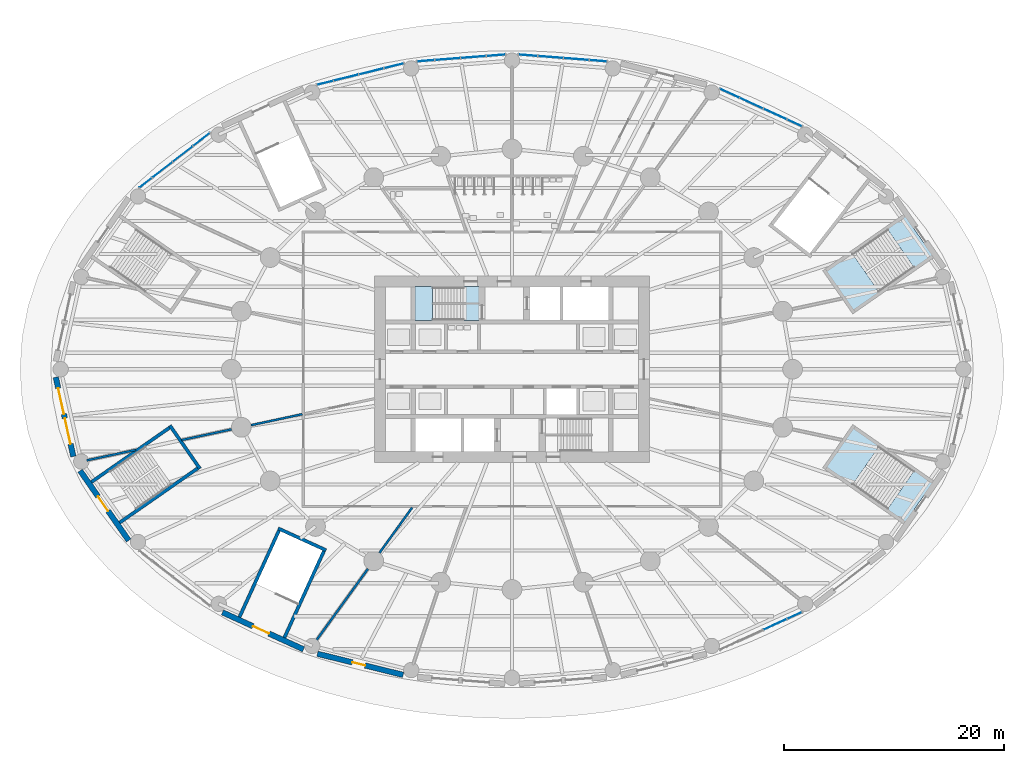
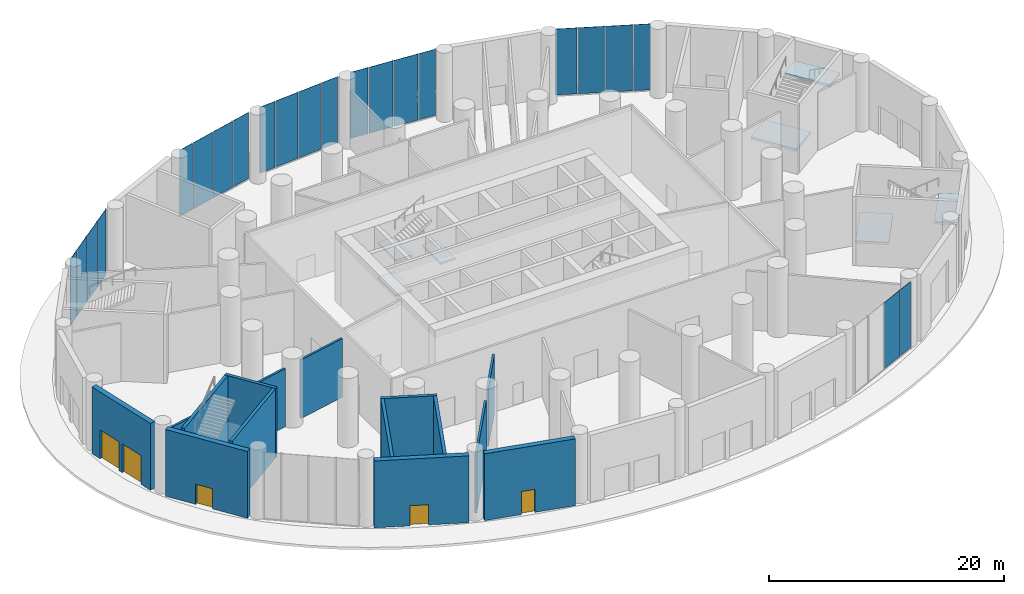
# One storey, part 13 of 22: 22 plates, 15 walls, 7 slabs, 5 doors, 5 openings, 9 elements without a shape of their own.
"""IFC4 building model written with IfcOpenShell, lengths in metres."""

from ifc_helpers import new_model, si_unit, direction, frame, frame_2d, origin, origin_2d, place, context, subcontext, project, spatial, polyline, rectangle, outline, extrude, material, layer, layer_set, type_object, element, fill, aggregate, save


model = new_model("IFC4")

# Units and contexts
model_context = context("Model", 3, precision=1e-05, world=origin(), true_north=direction((0.0, 1.0)))
body_context = subcontext(model_context, "Body", "Model", "MODEL_VIEW")
ifc_project = project(units=[si_unit("LENGTHUNIT", "METRE"), si_unit("AREAUNIT", "SQUARE_METRE"), si_unit("VOLUMEUNIT", "CUBIC_METRE"), si_unit("PLANEANGLEUNIT", "RADIAN"), si_unit("MASSUNIT", "GRAM", prefix="KILO")], contexts=[model_context])

# Site, building, storey
site_placement = place(None, origin())
site = spatial("IfcSite", under=ifc_project, at=site_placement, CompositionType="ELEMENT")
building_placement = place(site_placement, origin())
building = spatial("IfcBuilding", under=site, at=building_placement, Name="Hankou Lantern Tower", CompositionType="ELEMENT")
storey_placement = place(building_placement, origin())
storey = spatial("IfcBuildingStorey", under=building, at=storey_placement, Name="L00", CompositionType="ELEMENT", Elevation=0.0)

# Curtain wall, plates
ifc_material_1 = material(Name="Glass, dark grey tinted laminated", Category="glass")
curtain_wall_type = type_object("IfcCurtainWallType", Name="CWP PODIUM CURTAIN WALL", PredefinedType="USERDEFINED", material=ifc_material_1)
curtain_wall_1_placement = place(storey_placement, origin())
curtain_wall_1 = element("IfcCurtainWall", 1, at=curtain_wall_1_placement, inside=storey, type_object=curtain_wall_type, Name="CWP L00 PC01", ObjectType="PODIUM GLAZING", PredefinedType="USERDEFINED")
ifc_material_2 = material(Name="Glass, dark grey tinted laminated", Category="glass")
ifc_layer_1 = layer(ifc_material_2, 0.037109375)
ifc_layer_set_1 = layer_set([ifc_layer_1], Name="Glass, dark grey tinted laminated")
plate_type = type_object("IfcPlateType", Name="PN2 PODIUM GLASS PANEL", PredefinedType="CURTAIN_PANEL", material=ifc_layer_set_1)
plate_1_placement = place(storey_placement, frame((25.72802734375, 22.4267578125, 0.079833984375), z_axis=(0.0, 0.0, 1.0), x_axis=(-0.909669790944, 0.41533224224, 0.0)))
plate_1 = element("IfcPlate", 2, at=plate_1_placement, type_object=plate_type, Name="CWP glass panel 1", PredefinedType="CURTAIN_PANEL", context=body_context, shape_type="SweptSolid", body=[
    extrude(rectangle(XDim=1.445068359375, YDim=0.031982421875, at=origin_2d()), origin(), (0.0, 0.0, 1.0), 6.8701171875),
])
plate_2_placement = place(storey_placement, frame((23.95361328125, 23.23681640625, 0.079833984375), z_axis=(0.0, 0.0, 1.0), x_axis=(-0.909669790944, 0.41533224224, 0.0)))
plate_2 = element("IfcPlate", 3, at=plate_2_placement, type_object=plate_type, Name="CWP glass panel 2", PredefinedType="CURTAIN_PANEL", context=body_context, shape_type="SweptSolid", body=[
    extrude(rectangle(XDim=2.2958984375, YDim=0.031982421875, at=origin_2d()), origin(), (0.0, 0.0, 1.0), 6.8701171875),
])
plate_3_placement = place(storey_placement, frame((21.792236328125, 24.2236328125, 0.079833984375), z_axis=(0.0, 0.0, 1.0), x_axis=(-0.909669790944, 0.41533224224, 0.0)))
plate_3 = element("IfcPlate", 4, at=plate_3_placement, type_object=plate_type, Name="CWP glass panel 3", PredefinedType="CURTAIN_PANEL", context=body_context, shape_type="SweptSolid", body=[
    extrude(rectangle(XDim=2.2958984375, YDim=0.031982421875, at=origin_2d()), origin(), (0.0, 0.0, 1.0), 6.8701171875),
])
plate_4_placement = place(storey_placement, frame((19.812744140625, 25.12744140625, 0.079833984375), z_axis=(0.0, 0.0, 1.0), x_axis=(-0.909669790944, 0.41533224224, 0.0)))
plate_4 = element("IfcPlate", 5, at=plate_4_placement, type_object=plate_type, Name="CWP glass panel 4", PredefinedType="CURTAIN_PANEL", context=body_context, shape_type="SweptSolid", body=[
    extrude(rectangle(XDim=1.896240234375, YDim=0.031982421875, at=origin_2d()), origin(), (0.0, 0.0, 1.0), 6.8701171875),
])
aggregate(curtain_wall_1, [plate_1, plate_2, plate_3, plate_4])

curtain_wall_2_placement = place(storey_placement, origin())
curtain_wall_2 = element("IfcCurtainWall", 6, at=curtain_wall_2_placement, inside=storey, type_object=curtain_wall_type, Name="CWP L00 PC02", ObjectType="PODIUM GLAZING", PredefinedType="USERDEFINED")
plate_5_placement = place(storey_placement, frame((7.85205078125, 28.085205078125, 0.079833984375), z_axis=(0.0, 0.0, 1.0), x_axis=(-0.996948515213, 0.078061885796, 0.0)))
plate_5 = element("IfcPlate", 7, at=plate_5_placement, type_object=plate_type, Name="CWP glass panel 1", PredefinedType="CURTAIN_PANEL", context=body_context, shape_type="SweptSolid", body=[
    extrude(rectangle(XDim=1.57861328125, YDim=0.031982421875, at=origin_2d()), origin(), (0.0, 0.0, 1.0), 6.8701171875),
])
plate_6_placement = place(storey_placement, frame((5.8544921875, 28.24169921875, 0.079833984375), z_axis=(0.0, 0.0, 1.0), x_axis=(-0.996948515213, 0.078061885796, 0.0)))
plate_6 = element("IfcPlate", 8, at=plate_6_placement, type_object=plate_type, Name="CWP glass panel 2", PredefinedType="CURTAIN_PANEL", context=body_context, shape_type="SweptSolid", body=[
    extrude(rectangle(XDim=2.26904296875, YDim=0.031982421875, at=origin_2d()), origin(), (0.0, 0.0, 1.0), 6.8701171875),
])
plate_7_placement = place(storey_placement, frame((3.5126953125, 28.425048828125, 0.079833984375), z_axis=(0.0, 0.0, 1.0), x_axis=(-0.996948515213, 0.078061885796, 0.0)))
plate_7 = element("IfcPlate", 9, at=plate_7_placement, type_object=plate_type, Name="CWP glass panel 3", PredefinedType="CURTAIN_PANEL", context=body_context, shape_type="SweptSolid", body=[
    extrude(rectangle(XDim=2.26904296875, YDim=0.031982421875, at=origin_2d()), origin(), (0.0, 0.0, 1.0), 6.8701171875),
])
plate_8_placement = place(storey_placement, frame((1.460205078125, 28.585693359375, 0.079833984375), z_axis=(0.0, 0.0, 1.0), x_axis=(-0.996948515213, 0.078061885796, 0.0)))
plate_8 = element("IfcPlate", 10, at=plate_8_placement, type_object=plate_type, Name="CWP glass panel 4", PredefinedType="CURTAIN_PANEL", context=body_context, shape_type="SweptSolid", body=[
    extrude(rectangle(XDim=1.688232421875, YDim=0.031982421875, at=origin_2d()), origin(), (0.0, 0.0, 1.0), 6.8701171875),
])
aggregate(curtain_wall_2, [plate_5, plate_6, plate_7, plate_8])

curtain_wall_3_placement = place(storey_placement, origin())
curtain_wall_3 = element("IfcCurtainWall", 11, at=curtain_wall_3_placement, inside=storey, type_object=curtain_wall_type, Name="CWP L00 PC03", ObjectType="PODIUM GLAZING", PredefinedType="USERDEFINED")
plate_9_placement = place(storey_placement, frame((-1.460205078125, 28.585693359375, 0.079833984375), z_axis=(0.0, 0.0, 1.0), x_axis=(-0.996948515213, -0.078061885796, 0.0)))
plate_9 = element("IfcPlate", 12, at=plate_9_placement, type_object=plate_type, Name="CWP glass panel 1", PredefinedType="CURTAIN_PANEL", context=body_context, shape_type="SweptSolid", body=[
    extrude(rectangle(XDim=1.688232421875, YDim=0.031982421875, at=origin_2d()), origin(), (0.0, 0.0, 1.0), 6.8701171875),
])
plate_10_placement = place(storey_placement, frame((-3.5126953125, 28.425048828125, 0.079833984375), z_axis=(0.0, 0.0, 1.0), x_axis=(-0.996948515213, -0.078061885796, 0.0)))
plate_10 = element("IfcPlate", 13, at=plate_10_placement, type_object=plate_type, Name="CWP glass panel 2", PredefinedType="CURTAIN_PANEL", context=body_context, shape_type="SweptSolid", body=[
    extrude(rectangle(XDim=2.26904296875, YDim=0.031982421875, at=origin_2d()), origin(), (0.0, 0.0, 1.0), 6.8701171875),
])
plate_11_placement = place(storey_placement, frame((-5.8544921875, 28.24169921875, 0.079833984375), z_axis=(0.0, 0.0, 1.0), x_axis=(-0.996948515213, -0.078061885796, 0.0)))
plate_11 = element("IfcPlate", 14, at=plate_11_placement, type_object=plate_type, Name="CWP glass panel 3", PredefinedType="CURTAIN_PANEL", context=body_context, shape_type="SweptSolid", body=[
    extrude(rectangle(XDim=2.26904296875, YDim=0.031982421875, at=origin_2d()), origin(), (0.0, 0.0, 1.0), 6.8701171875),
])
plate_12_placement = place(storey_placement, frame((-7.85205078125, 28.085205078125, 0.079833984375), z_axis=(0.0, 0.0, 1.0), x_axis=(-0.996948515213, -0.078061885796, 0.0)))
plate_12 = element("IfcPlate", 15, at=plate_12_placement, type_object=plate_type, Name="CWP glass panel 4", PredefinedType="CURTAIN_PANEL", context=body_context, shape_type="SweptSolid", body=[
    extrude(rectangle(XDim=1.57861328125, YDim=0.031982421875, at=origin_2d()), origin(), (0.0, 0.0, 1.0), 6.8701171875),
])
aggregate(curtain_wall_3, [plate_9, plate_10, plate_11, plate_12])

curtain_wall_4_placement = place(storey_placement, origin())
curtain_wall_4 = element("IfcCurtainWall", 16, at=curtain_wall_4_placement, inside=storey, type_object=curtain_wall_type, Name="CWP L00 PC04", ObjectType="PODIUM GLAZING", PredefinedType="USERDEFINED")
plate_13_placement = place(storey_placement, frame((-10.74658203125, 27.626708984375, 0.079833984375), z_axis=(0.0, 0.0, 1.0), x_axis=(-0.970960955091, -0.239238006364, 0.0)))
plate_13 = element("IfcPlate", 17, at=plate_13_placement, type_object=plate_type, Name="CWP glass panel 1", PredefinedType="CURTAIN_PANEL", context=body_context, shape_type="SweptSolid", body=[
    extrude(rectangle(XDim=1.80712890625, YDim=0.031982421875, at=origin_2d()), origin(), (0.0, 0.0, 1.0), 6.8701171875),
])
plate_14_placement = place(storey_placement, frame((-12.810791015625, 27.1181640625, 0.079833984375), z_axis=(0.0, 0.0, 1.0), x_axis=(-0.970960955091, -0.239238006364, 0.0)))
plate_14 = element("IfcPlate", 18, at=plate_14_placement, type_object=plate_type, Name="CWP glass panel 2", PredefinedType="CURTAIN_PANEL", context=body_context, shape_type="SweptSolid", body=[
    extrude(rectangle(XDim=2.284423828125, YDim=0.031982421875, at=origin_2d()), origin(), (0.0, 0.0, 1.0), 6.8701171875),
])
plate_15_placement = place(storey_placement, frame((-15.1064453125, 26.552490234375, 0.079833984375), z_axis=(0.0, 0.0, 1.0), x_axis=(-0.970960955091, -0.239238006364, 0.0)))
plate_15 = element("IfcPlate", 19, at=plate_15_placement, type_object=plate_type, Name="CWP glass panel 3", PredefinedType="CURTAIN_PANEL", context=body_context, shape_type="SweptSolid", body=[
    extrude(rectangle(XDim=2.284423828125, YDim=0.031982421875, at=origin_2d()), origin(), (0.0, 0.0, 1.0), 6.8701171875),
])
plate_16_placement = place(storey_placement, frame((-17.02001953125, 26.080810546875, 0.079833984375), z_axis=(0.0, 0.0, 1.0), x_axis=(-0.970960955091, -0.239238006364, 0.0)))
plate_16 = element("IfcPlate", 20, at=plate_16_placement, type_object=plate_type, Name="CWP glass panel 4", PredefinedType="CURTAIN_PANEL", context=body_context, shape_type="SweptSolid", body=[
    extrude(rectangle(XDim=1.497314453125, YDim=0.031982421875, at=origin_2d()), origin(), (0.0, 0.0, 1.0), 6.8701171875),
])
aggregate(curtain_wall_4, [plate_13, plate_14, plate_15, plate_16])

curtain_wall_5_placement = place(storey_placement, origin())
curtain_wall_5 = element("IfcCurtainWall", 21, at=curtain_wall_5_placement, inside=storey, type_object=curtain_wall_type, Name="CWP L00 PC05", ObjectType="PODIUM GLAZING", PredefinedType="USERDEFINED")
plate_17_placement = place(storey_placement, frame((-28.27001953125, 20.923095703125, 0.079833984375), z_axis=(0.0, 0.0, 1.0), x_axis=(-0.790129760642, -0.612939606608, 0.0)))
plate_17 = element("IfcPlate", 22, at=plate_17_placement, type_object=plate_type, Name="CWP glass panel 1", PredefinedType="CURTAIN_PANEL", context=body_context, shape_type="SweptSolid", body=[
    extrude(rectangle(XDim=1.90234375, YDim=0.031982421875, at=origin_2d()), origin(), (0.0, 0.0, 1.0), 6.8701171875),
])
plate_18_placement = place(storey_placement, frame((-29.98193359375, 19.59521484375, 0.079833984375), z_axis=(0.0, 0.0, 1.0), x_axis=(-0.790129760642, -0.612939606608, 0.0)))
plate_18 = element("IfcPlate", 23, at=plate_18_placement, type_object=plate_type, Name="CWP glass panel 2", PredefinedType="CURTAIN_PANEL", context=body_context, shape_type="SweptSolid", body=[
    extrude(rectangle(XDim=2.270751953125, YDim=0.031982421875, at=origin_2d()), origin(), (0.0, 0.0, 1.0), 6.8701171875),
])
plate_19_placement = place(storey_placement, frame((-31.83935546875, 18.154296875, 0.079833984375), z_axis=(0.0, 0.0, 1.0), x_axis=(-0.790129760642, -0.612939606608, 0.0)))
plate_19 = element("IfcPlate", 24, at=plate_19_placement, type_object=plate_type, Name="CWP glass panel 3", PredefinedType="CURTAIN_PANEL", context=body_context, shape_type="SweptSolid", body=[
    extrude(rectangle(XDim=2.270751953125, YDim=0.031982421875, at=origin_2d()), origin(), (0.0, 0.0, 1.0), 6.8701171875),
])
plate_20_placement = place(storey_placement, frame((-33.356689453125, 16.977294921875, 0.079833984375), z_axis=(0.0, 0.0, 1.0), x_axis=(-0.790129760642, -0.612939606608, 0.0)))
plate_20 = element("IfcPlate", 25, at=plate_20_placement, type_object=plate_type, Name="CWP glass panel 4", PredefinedType="CURTAIN_PANEL", context=body_context, shape_type="SweptSolid", body=[
    extrude(rectangle(XDim=1.409423828125, YDim=0.031982421875, at=origin_2d()), origin(), (0.0, 0.0, 1.0), 6.8701171875),
])
aggregate(curtain_wall_5, [plate_17, plate_18, plate_19, plate_20])

curtain_wall_6_placement = place(storey_placement, origin())
curtain_wall_6 = element("IfcCurtainWall", 26, at=curtain_wall_6_placement, inside=storey, type_object=curtain_wall_type, Name="CWP L00 PC07", ObjectType="PODIUM GLAZING", PredefinedType="USERDEFINED")
plate_21_placement = place(storey_placement, frame((23.95361328125, -23.23681640625, 0.079833984375), z_axis=(0.0, 0.0, 1.0), x_axis=(0.909669790944, 0.41533224224, 0.0)))
plate_21 = element("IfcPlate", 27, at=plate_21_placement, type_object=plate_type, Name="CWP glass panel 3", PredefinedType="CURTAIN_PANEL", context=body_context, shape_type="SweptSolid", body=[
    extrude(rectangle(XDim=2.2958984375, YDim=0.031982421875, at=origin_2d()), origin(), (0.0, 0.0, 1.0), 6.8701171875),
])
plate_22_placement = place(storey_placement, frame((25.72802734375, -22.4267578125, 0.079833984375), z_axis=(0.0, 0.0, 1.0), x_axis=(0.909669790944, 0.41533224224, 0.0)))
plate_22 = element("IfcPlate", 28, at=plate_22_placement, type_object=plate_type, Name="CWP glass panel 4", PredefinedType="CURTAIN_PANEL", context=body_context, shape_type="SweptSolid", body=[
    extrude(rectangle(XDim=1.445068359375, YDim=0.031982421875, at=origin_2d()), origin(), (0.0, 0.0, 1.0), 6.8701171875),
])
aggregate(curtain_wall_6, [plate_21, plate_22])

# Stair, slabs
ifc_material_3 = material(Name="Concrete C40", Category="concrete")
stair_type_1 = type_object("IfcStairType", Name="ST72 CORE STAIR 7200 RISE", PredefinedType="HALF_TURN_STAIR", material=ifc_material_3)
stair_1_placement = place(storey_placement, origin())
stair_1 = element("IfcStair", 29, at=stair_1_placement, inside=storey, type_object=stair_type_1, Name="Stair STA L00", PredefinedType="HALF_TURN_STAIR")
ifc_material_4 = material(Name="Concrete C40", Category="concrete")
ifc_layer_2 = layer(ifc_material_4, 0.199951171875)
ifc_layer_set_2 = layer_set([ifc_layer_2], Name="Concrete C40")
slab_type_1 = type_object("IfcSlabType", Name="SL1 STAIR LANDING 200", PredefinedType="LANDING", material=ifc_layer_set_2)
slab_1_placement = place(storey_placement, frame((0.0, 0.0, 1.60009765625)))
slab_1 = element("IfcSlab", 30, at=slab_1_placement, type_object=slab_type_1, Name="STA landing 1", PredefinedType="LANDING", context=body_context, shape_type="SweptSolid", body=[
    extrude(outline(polyline([(-8.85009765625, 4.449951171875), (-7.22998046875, 4.449951171875), (-7.22998046875, 7.550048828125), (-8.85009765625, 7.550048828125), (-8.85009765625, 4.449951171875)])), origin(), (0.0, 0.0, 1.0), 0.199951171875),
])
slab_2_placement = place(storey_placement, frame((0.0, 0.0, 3.39990234375)))
slab_2 = element("IfcSlab", 31, at=slab_2_placement, type_object=slab_type_1, Name="STA landing 2", PredefinedType="LANDING", context=body_context, shape_type="SweptSolid", body=[
    extrude(outline(polyline([(-4.449951171875, 4.449951171875), (-3.0, 4.449951171875), (-3.0, 7.550048828125), (-4.449951171875, 7.550048828125), (-4.449951171875, 4.449951171875)])), origin(), (0.0, 0.0, 1.0), 0.2001953125),
])
slab_3_placement = place(storey_placement, frame((0.0, 0.0, 5.199951171875)))
slab_3 = element("IfcSlab", 32, at=slab_3_placement, type_object=slab_type_1, Name="STA landing 3", PredefinedType="LANDING", context=body_context, shape_type="SweptSolid", body=[
    extrude(outline(polyline([(-8.85009765625, 4.449951171875), (-7.22998046875, 4.449951171875), (-7.22998046875, 7.550048828125), (-8.85009765625, 7.550048828125), (-8.85009765625, 4.449951171875)])), origin(), (0.0, 0.0, 1.0), 0.199951171875),
])
aggregate(stair_1, [slab_1, slab_2, slab_3])

ifc_material_5 = material(Name="Concrete C40", Category="concrete")
stair_type_2 = type_object("IfcStairType", Name="PS72 PODIUM STAIR 7200 RISE", PredefinedType="HALF_TURN_STAIR", material=ifc_material_5)
stair_2_placement = place(storey_placement, origin())
stair_2 = element("IfcStair", 33, at=stair_2_placement, inside=storey, type_object=stair_type_2, Name="Stair P1 L00", PredefinedType="HALF_TURN_STAIR")
ifc_material_6 = material(Name="Concrete C40", Category="concrete")
ifc_layer_3 = layer(ifc_material_6, 0.25)
ifc_layer_set_3 = layer_set([ifc_layer_3], Name="Concrete C40")
slab_type_2 = type_object("IfcSlabType", Name="SL2 PODIUM STAIR LANDING 250", PredefinedType="LANDING", material=ifc_layer_set_3)
slab_4_placement = place(storey_placement, frame((0.0, 0.0, 2.14990234375)))
slab_4 = element("IfcSlab", 34, at=slab_4_placement, type_object=slab_type_2, Name="P1 landing 1", PredefinedType="LANDING", context=body_context, shape_type="SweptSolid", body=[
    extrude(outline(polyline([(33.439697265625, 7.015380859375), (30.984130859375, 10.54541015625), (28.636474609375, 8.912109375), (31.091796875, 5.382080078125), (33.439697265625, 7.015380859375)])), origin(), (0.0, 0.0, 1.0), 0.25),
])
slab_5_placement = place(storey_placement, frame((0.0, 0.0, 4.550048828125)))
slab_5 = element("IfcSlab", 35, at=slab_5_placement, type_object=slab_type_2, Name="P1 landing 2", PredefinedType="LANDING", context=body_context, shape_type="SweptSolid", body=[
    extrude(outline(polyline([(38.283203125, 10.384521484375), (35.82763671875, 13.91455078125), (34.16943359375, 12.760986328125), (36.624755859375, 9.23095703125), (38.283203125, 10.384521484375)])), origin(), (0.0, 0.0, 1.0), 0.25),
])
aggregate(stair_2, [slab_4, slab_5])

stair_3_placement = place(storey_placement, origin())
stair_3 = element("IfcStair", 36, at=stair_3_placement, inside=storey, type_object=stair_type_2, Name="Stair P4 L00", PredefinedType="HALF_TURN_STAIR")
slab_6_placement = place(storey_placement, frame((0.0, 0.0, 2.14990234375)))
slab_6 = element("IfcSlab", 37, at=slab_6_placement, type_object=slab_type_2, Name="P4 landing 1", PredefinedType="LANDING", context=body_context, shape_type="SweptSolid", body=[
    extrude(outline(polyline([(30.984130859375, -10.54541015625), (33.439697265625, -7.015380859375), (31.091796875, -5.382080078125), (28.636474609375, -8.912109375), (30.984130859375, -10.54541015625)])), origin(), (0.0, 0.0, 1.0), 0.25),
])
slab_7_placement = place(storey_placement, frame((0.0, 0.0, 4.550048828125)))
slab_7 = element("IfcSlab", 38, at=slab_7_placement, type_object=slab_type_2, Name="P4 landing 2", PredefinedType="LANDING", context=body_context, shape_type="SweptSolid", body=[
    extrude(outline(polyline([(35.82763671875, -13.91455078125), (38.283203125, -10.384521484375), (36.624755859375, -9.23095703125), (34.16943359375, -12.760986328125), (35.82763671875, -13.91455078125)])), origin(), (0.0, 0.0, 1.0), 0.25),
])
aggregate(stair_3, [slab_6, slab_7])

# Walls
ifc_material_7 = material(Name="Concrete C50", Category="concrete")
ifc_layer_4 = layer(ifc_material_7, 0.300048828125)
ifc_layer_set_4 = layer_set([ifc_layer_4], Name="Concrete C50")
wall_type_1 = type_object("IfcWallType", Name="CW7 PODIUM STAIR WALL 300", PredefinedType="SHEAR", material=ifc_layer_set_4)
wall_1_placement = place(storey_placement, frame((-38.29931640625, -10.273681640625, 0.0), z_axis=(0.0, 0.0, 1.0), x_axis=(0.820936803751, 0.571019057692, 0.0)))
element("IfcWall", 39, at=wall_1_placement, inside=storey, type_object=wall_type_1, Name="Podium stair P3 wall", PredefinedType="SHEAR", context=body_context, shape_type="SweptSolid", body=[
    extrude(rectangle(XDim=8.66015625, YDim=0.300048828125, at=frame_2d((4.330078125, 0.0))), origin(), (0.0, 0.0, 1.0), 7.199951171875),
])
wall_2_placement = place(storey_placement, frame((-35.7294921875, -13.968017578125, 0.0), z_axis=(0.0, 0.0, 1.0), x_axis=(0.82092761123, 0.571032273274, 0.0)))
element("IfcWall", 40, at=wall_2_placement, inside=storey, type_object=wall_type_1, Name="Podium stair P3 wall", PredefinedType="SHEAR", context=body_context, shape_type="SweptSolid", body=[
    extrude(rectangle(XDim=8.659912109375, YDim=0.300048828125, at=frame_2d((4.330078125, 0.0))), origin(), (0.0, 0.0, 1.0), 7.199951171875),
])
wall_3_placement = place(storey_placement, frame((-31.152587890625, -5.119873046875, 0.0), z_axis=(0.0, 0.0, 1.0), x_axis=(0.571036173178, -0.820924898467, 0.0)))
element("IfcWall", 41, at=wall_3_placement, inside=storey, type_object=wall_type_1, Name="Podium stair P3 wall", PredefinedType="SHEAR", context=body_context, shape_type="SweptSolid", body=[
    extrude(rectangle(XDim=4.800048828125, YDim=0.300048828125, at=frame_2d((2.39990234375, 0.0))), origin(), (0.0, 0.0, 1.0), 7.199951171875),
])
for number, where, z_axis, x_axis, name in (
    (42, (-24.81591796875, -22.568359375, 0.0), (0.0, 0.0, 1.0), (0.415348644036, 0.909662302119, 0.0), "Basement stair BS3 wall"),
    (43, (-20.722412109375, -24.437255859375, 0.0), (0.0, 0.0, 1.0), (0.415348644036, 0.909662302119, 0.0), "Basement stair BS3 wall"),
):
    element("IfcWall", number, at=place(storey_placement, frame(where, z_axis=z_axis, x_axis=x_axis)), inside=storey, type_object=wall_type_1, Name=name, PredefinedType="SHEAR", context=body_context, shape_type="SweptSolid", body=[
        extrude(rectangle(XDim=8.659912109375, YDim=0.300048828125, at=frame_2d((4.330078125, 0.0))), origin(), (0.0, 0.0, 1.0), 6.949951171875),
    ])
wall_4_placement = place(storey_placement, frame((-21.293212890625, -14.49169921875, 0.0), z_axis=(0.0, 0.0, 1.0), x_axis=(0.90966669911, -0.415339013975, 0.0)))
element("IfcWall", 44, at=wall_4_placement, inside=storey, type_object=wall_type_1, Name="Basement stair BS3 wall", PredefinedType="SHEAR", context=body_context, shape_type="SweptSolid", body=[
    extrude(rectangle(XDim=4.800048828125, YDim=0.300048828125, at=frame_2d((2.39990234375, 0.0))), origin(), (0.0, 0.0, 1.0), 6.949951171875),
])

# Wall, openings, doors
ifc_material_8 = material(Name="Granite cladding on reinforced concrete C50", Category="masonry")
ifc_layer_5 = layer(ifc_material_8, 0.5)
ifc_layer_set_5 = layer_set([ifc_layer_5], Name="Granite cladding on reinforced concrete C50")
wall_type_2 = type_object("IfcWallType", Name="EW2 STONE PORTAL WALL 500", PredefinedType="SOLIDWALL", material=ifc_layer_set_5)
wall_5_placement = place(storey_placement, frame((-41.5390625, -0.72802734375, 0.0), z_axis=(0.0, 0.0, 1.0), x_axis=(0.215818853801, -0.976433419309, 0.0)))
wall_5 = element("IfcWall", 45, at=wall_5_placement, inside=storey, type_object=wall_type_2, Name="Portal wall R13 L00", PredefinedType="SOLIDWALL", context=body_context, shape_type="SweptSolid", body=[
    extrude(rectangle(XDim=7.39599609375, YDim=0.5, at=frame_2d((3.697998046875, 0.0))), origin(), (0.0, 0.0, 1.0), 6.949951171875),
])
opening_1_placement = place(wall_5_placement, frame((1.024658203125, 0.0, 0.0)))
opening_1 = element("IfcOpeningElement", 46, at=opening_1_placement, cuts=wall_5, Name="Opening D18", PredefinedType="OPENING", context=body_context, shape_type="SweptSolid", body=[
    extrude(rectangle(XDim=2.39990234375, YDim=3.0, at=frame_2d((1.199951171875, 1.5))), frame((0.0, 0.260009765625, 0.0), z_axis=(0.0, -1.0, 0.0), x_axis=(1.0, 0.0, 0.0)), (0.0, 0.0, 1.0), 0.52001953125),
])
opening_2_placement = place(wall_5_placement, frame((3.824462890625, 0.0, 0.0)))
opening_2 = element("IfcOpeningElement", 47, at=opening_2_placement, cuts=wall_5, Name="Opening D18", PredefinedType="OPENING", context=body_context, shape_type="SweptSolid", body=[
    extrude(rectangle(XDim=2.39990234375, YDim=3.0, at=frame_2d((1.199951171875, 1.5))), frame((0.0, 0.260009765625, 0.0), z_axis=(0.0, -1.0, 0.0), x_axis=(1.0, 0.0, 0.0)), (0.0, 0.0, 1.0), 0.52001953125),
])
ifc_material_9 = material(Name="Aluminium framed glazed door", Category="aluminium")
door_type_1 = type_object("IfcDoorType", Name="D18 ENTRANCE DOOR 2400X3000", OperationType="DOUBLE_DOOR_DOUBLE_SWING", PredefinedType="DOOR", material=ifc_material_9)
door_1_placement = place(opening_1_placement, origin())
door_1 = element("IfcDoor", 48, at=door_1_placement, inside=storey, type_object=door_type_1, Name="Entrance door R13a", OperationType="DOUBLE_DOOR_DOUBLE_SWING", OverallHeight=3.0, OverallWidth=2.39990234375, PredefinedType="DOOR", context=body_context, shape_type="SweptSolid", body=[
    extrude(rectangle(XDim=2.39990234375, YDim=3.0, at=frame_2d((1.199951171875, 1.5))), frame((0.0, 0.02490234375, 0.0), z_axis=(0.0, -1.0, 0.0), x_axis=(1.0, 0.0, 0.0)), (0.0, 0.0, 1.0), 0.050048828125),
])
fill(opening_1, door_1)
door_2_placement = place(opening_2_placement, origin())
door_2 = element("IfcDoor", 49, at=door_2_placement, inside=storey, type_object=door_type_1, Name="Entrance door R13b", OperationType="DOUBLE_DOOR_DOUBLE_SWING", OverallHeight=3.0, OverallWidth=2.39990234375, PredefinedType="DOOR", context=body_context, shape_type="SweptSolid", body=[
    extrude(rectangle(XDim=2.39990234375, YDim=3.0, at=frame_2d((1.199951171875, 1.5))), frame((0.0, 0.02490234375, 0.0), z_axis=(0.0, -1.0, 0.0), x_axis=(1.0, 0.0, 0.0)), (0.0, 0.0, 1.0), 0.050048828125),
])
fill(opening_2, door_2)

# Wall, opening, door
wall_6_placement = place(storey_placement, frame((-39.3203125, -9.24365234375, 0.0), z_axis=(0.0, 0.0, 1.0), x_axis=(0.571029335057, -0.820929655028, 0.0)))
wall_6 = element("IfcWall", 50, at=wall_6_placement, inside=storey, type_object=wall_type_2, Name="Portal wall R14 L00", PredefinedType="SOLIDWALL", context=body_context, shape_type="SweptSolid", body=[
    extrude(rectangle(XDim=7.732666015625, YDim=0.5, at=frame_2d((3.8662109375, 0.0))), origin(), (0.0, 0.0, 1.0), 6.949951171875),
])
opening_3_placement = place(wall_6_placement, frame((2.858642578125, 0.0, 0.0)))
opening_3 = element("IfcOpeningElement", 51, at=opening_3_placement, cuts=wall_6, Name="Opening D21", PredefinedType="OPENING", context=body_context, shape_type="SweptSolid", body=[
    extrude(rectangle(XDim=1.60009765625, YDim=2.10009765625, at=frame_2d((0.800048828125, 1.050048828125))), frame((0.0, 0.260009765625, 0.0), z_axis=(0.0, -1.0, 0.0), x_axis=(1.0, 0.0, 0.0)), (0.0, 0.0, 1.0), 0.52001953125),
])
ifc_material_10 = material(Name="Steel door leaf", Category="steel")
door_type_2 = type_object("IfcDoorType", Name="D21 PODIUM STAIR EXIT DOOR 1600X2100", OperationType="DOUBLE_DOOR_DOUBLE_SWING", PredefinedType="DOOR", material=ifc_material_10)
door_3_placement = place(opening_3_placement, origin())
door_3 = element("IfcDoor", 52, at=door_3_placement, inside=storey, type_object=door_type_2, Name="Podium stair P3 exit door", OperationType="DOUBLE_DOOR_DOUBLE_SWING", OverallHeight=2.10009765625, OverallWidth=1.60009765625, PredefinedType="DOOR", context=body_context, shape_type="SweptSolid", body=[
    extrude(rectangle(XDim=1.60009765625, YDim=2.10009765625, at=frame_2d((0.800048828125, 1.050048828125))), frame((0.0, 0.02490234375, 0.0), z_axis=(0.0, -1.0, 0.0), x_axis=(1.0, 0.0, 0.0)), (0.0, 0.0, 1.0), 0.050048828125),
])
fill(opening_3, door_3)

wall_7_placement = place(storey_placement, frame((-26.36572265625, -22.135498046875, 0.0), z_axis=(0.0, 0.0, 1.0), x_axis=(0.909665260177, -0.415342165482, 0.0)))
wall_7 = element("IfcWall", 53, at=wall_7_placement, inside=storey, type_object=wall_type_2, Name="Portal wall R16 L00", PredefinedType="SOLIDWALL", context=body_context, shape_type="SweptSolid", body=[
    extrude(rectangle(XDim=8.111083984375, YDim=0.5, at=frame_2d((4.0556640625, 0.0))), origin(), (0.0, 0.0, 1.0), 6.949951171875),
])
opening_4_placement = place(wall_7_placement, frame((3.0595703125, 0.0, 0.0)))
opening_4 = element("IfcOpeningElement", 54, at=opening_4_placement, cuts=wall_7, Name="Opening D21", PredefinedType="OPENING", context=body_context, shape_type="SweptSolid", body=[
    extrude(rectangle(XDim=1.60009765625, YDim=2.10009765625, at=frame_2d((0.800048828125, 1.050048828125))), frame((0.0, 0.260009765625, 0.0), z_axis=(0.0, -1.0, 0.0), x_axis=(1.0, 0.0, 0.0)), (0.0, 0.0, 1.0), 0.52001953125),
])
door_4_placement = place(opening_4_placement, origin())
door_4 = element("IfcDoor", 55, at=door_4_placement, inside=storey, type_object=door_type_2, Name="Basement stair BS3 exit door", OperationType="DOUBLE_DOOR_DOUBLE_SWING", OverallHeight=2.10009765625, OverallWidth=1.60009765625, PredefinedType="DOOR", context=body_context, shape_type="SweptSolid", body=[
    extrude(rectangle(XDim=1.60009765625, YDim=2.10009765625, at=frame_2d((0.800048828125, 1.050048828125))), frame((0.0, 0.02490234375, 0.0), z_axis=(0.0, -1.0, 0.0), x_axis=(1.0, 0.0, 0.0)), (0.0, 0.0, 1.0), 0.050048828125),
])
fill(opening_4, door_4)

wall_8_placement = place(storey_placement, frame((-17.72119140625, -25.908203125, 0.0), z_axis=(0.0, 0.0, 1.0), x_axis=(0.970964815964, -0.23922233625, 0.0)))
wall_8 = element("IfcWall", 56, at=wall_8_placement, inside=storey, type_object=wall_type_2, Name="Portal wall R17 L00", PredefinedType="SOLIDWALL", context=body_context, shape_type="SweptSolid", body=[
    extrude(rectangle(XDim=8.048095703125, YDim=0.5, at=frame_2d((4.02392578125, 0.0))), origin(), (0.0, 0.0, 1.0), 6.949951171875),
])
opening_5_placement = place(wall_8_placement, frame((3.275146484375, 0.0, 0.0)))
opening_5 = element("IfcOpeningElement", 57, at=opening_5_placement, cuts=wall_8, Name="Opening D19", PredefinedType="OPENING", context=body_context, shape_type="SweptSolid", body=[
    extrude(rectangle(XDim=1.199951171875, YDim=2.39990234375, at=frame_2d((0.60009765625, 1.199951171875))), frame((0.0, 0.260009765625, 0.0), z_axis=(0.0, -1.0, 0.0), x_axis=(1.0, 0.0, 0.0)), (0.0, 0.0, 1.0), 0.52001953125),
])
ifc_material_11 = material(Name="Steel door leaf", Category="steel")
door_type_3 = type_object("IfcDoorType", Name="D19 FIRE COMMAND CENTRE EXTERNAL DOOR 1200X2400", OperationType="SINGLE_SWING_LEFT", PredefinedType="DOOR", material=ifc_material_11)
door_5_placement = place(opening_5_placement, origin())
door_5 = element("IfcDoor", 58, at=door_5_placement, inside=storey, type_object=door_type_3, Name="Fire command centre external door", OperationType="SINGLE_SWING_LEFT", OverallHeight=2.39990234375, OverallWidth=1.199951171875, PredefinedType="DOOR", context=body_context, shape_type="SweptSolid", body=[
    extrude(rectangle(XDim=1.199951171875, YDim=2.39990234375, at=frame_2d((0.60009765625, 1.199951171875))), frame((0.0, 0.02490234375, 0.0), z_axis=(0.0, -1.0, 0.0), x_axis=(1.0, 0.0, 0.0)), (0.0, 0.0, 1.0), 0.050048828125),
])
fill(opening_5, door_5)

# Walls
ifc_material_12 = material(Name="Masonry dense concrete block", Category="masonry")
ifc_layer_6 = layer(ifc_material_12, 0.199951171875)
ifc_layer_set_6 = layer_set([ifc_layer_6], Name="Masonry dense concrete block")
wall_type_3 = type_object("IfcWallType", Name="FW1 COMPARTMENT FIRE WALL 200", PredefinedType="PARTITIONING", material=ifc_layer_set_6)
wall_9_placement = place(storey_placement, frame((-19.10009765625, -4.09423828125, 0.0), z_axis=(0.0, 0.0, 1.0), x_axis=(-0.977784445586, -0.209612924148, 0.0)))
element("IfcWall", 59, at=wall_9_placement, inside=storey, type_object=wall_type_3, Name="Fire wall R14", PredefinedType="PARTITIONING", context=body_context, shape_type="SweptSolid", body=[
    extrude(rectangle(XDim=4.77294921875, YDim=0.199951171875, at=frame_2d((2.386474609375, 0.0))), origin(), (0.0, 0.0, 1.0), 6.10009765625),
])
wall_10_placement = place(storey_placement, frame((-25.527099609375, -5.471923828125, 0.0), z_axis=(0.0, 0.0, 1.0), x_axis=(-0.977787143577, -0.209600338396, 0.0)))
element("IfcWall", 60, at=wall_10_placement, inside=storey, type_object=wall_type_3, Name="Fire wall R14", PredefinedType="PARTITIONING", context=body_context, shape_type="SweptSolid", body=[
    extrude(rectangle(XDim=4.68017578125, YDim=0.199951171875, at=frame_2d((2.340087890625, 0.0))), origin(), (0.0, 0.0, 1.0), 6.050048828125),
])
wall_11_placement = place(storey_placement, frame((-34.263427734375, -7.3447265625, 0.0), z_axis=(0.0, 0.0, 1.0), x_axis=(-0.977794589892, -0.209565598271, 0.0)))
element("IfcWall", 61, at=wall_11_placement, inside=storey, type_object=wall_type_3, Name="Fire wall R14", PredefinedType="PARTITIONING", context=body_context, shape_type="SweptSolid", body=[
    extrude(rectangle(XDim=4.566650390625, YDim=0.199951171875, at=frame_2d((2.283203125, 0.0))), origin(), (0.0, 0.0, 1.0), 6.050048828125),
])
ifc_material_13 = material(Name="Masonry dense concrete block", Category="masonry")
ifc_layer_7 = layer(ifc_material_13, 0.199951171875)
ifc_layer_set_7 = layer_set([ifc_layer_7], Name="Masonry dense concrete block")
wall_type_4 = type_object("IfcWallType", Name="IW9 2 H FIRE PARTITION 200", PredefinedType="PARTITIONING", material=ifc_layer_set_7)
wall_12_placement = place(storey_placement, frame((-9.09326171875, -12.60009765625, 0.0), z_axis=(0.0, 0.0, 1.0), x_axis=(-0.58522538525, -0.810870673079, 0.0)))
element("IfcWall", 62, at=wall_12_placement, inside=storey, type_object=wall_type_4, Name="Partition R17", PredefinedType="PARTITIONING", context=body_context, shape_type="SweptSolid", body=[
    extrude(rectangle(XDim=5.07666015625, YDim=0.199951171875, at=frame_2d((2.538330078125, 0.0))), origin(), (0.0, 0.0, 1.0), 6.10009765625),
])
wall_13_placement = place(storey_placement, frame((-13.11767578125, -18.17626953125, 0.0), z_axis=(0.0, 0.0, 1.0), x_axis=(-0.585204349301, -0.810885854828, 0.0)))
element("IfcWall", 63, at=wall_13_placement, inside=storey, type_object=wall_type_4, Name="Partition R17", PredefinedType="PARTITIONING", context=body_context, shape_type="SweptSolid", body=[
    extrude(rectangle(XDim=8.1611328125, YDim=0.199951171875, at=frame_2d((4.08056640625, 0.0))), origin(), (0.0, 0.0, 1.0), 6.050048828125),
])

save(model, "model.ifc")
